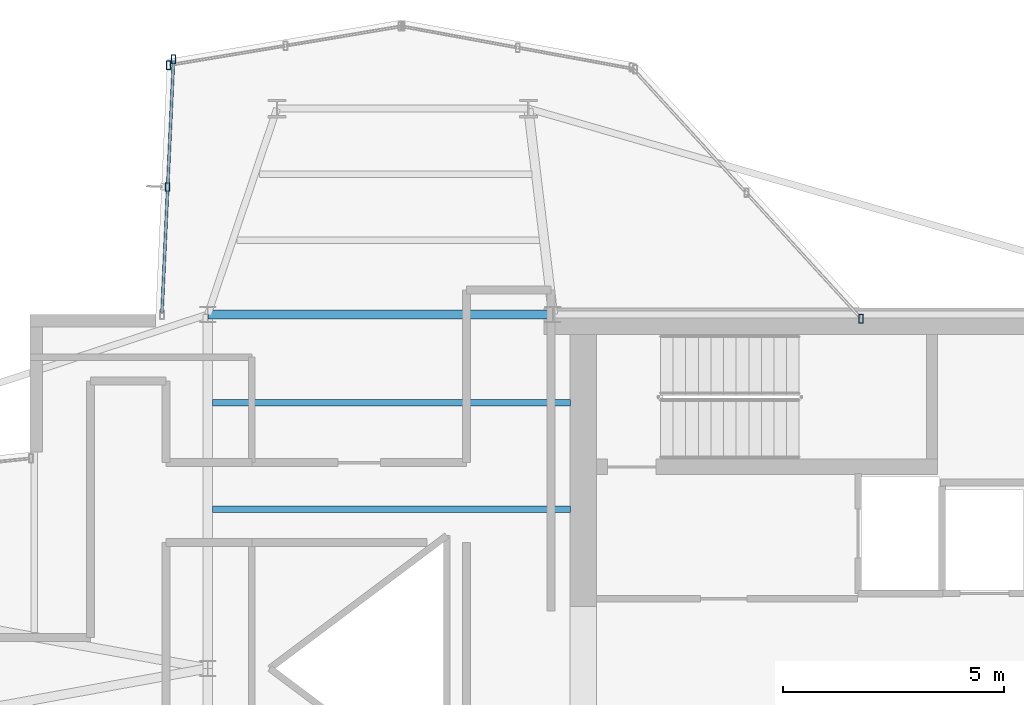
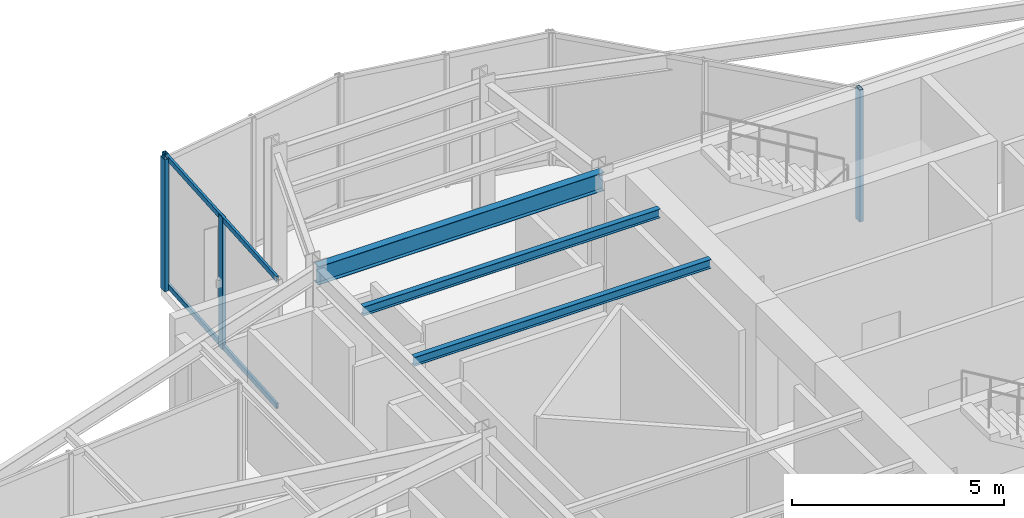
# One storey, part 5 of 13: 6 members, 3 beams, 3 elements without a shape of their own.
"""IFC4 building model written with IfcOpenShell, lengths in metres."""

from ifc_helpers import new_model, si_unit, direction, frame, origin, origin_2d, place, context, subcontext, project, spatial, hollow_rectangle, i_section, extrude, material, layer, layer_set, material_profile, profile_set, type_object, element, aggregate, save


model = new_model("IFC4")

# Units and contexts
model_context = context("Model", 3, precision=1e-05, world=origin(), true_north=direction((0.0, 1.0)))
body_context = subcontext(model_context, "Body", "Model", "MODEL_VIEW")
ifc_project = project(units=[si_unit("LENGTHUNIT", "METRE"), si_unit("AREAUNIT", "SQUARE_METRE"), si_unit("VOLUMEUNIT", "CUBIC_METRE"), si_unit("PLANEANGLEUNIT", "RADIAN"), si_unit("MASSUNIT", "GRAM", prefix="KILO")], contexts=[model_context])

# Site, building, storey
site_placement = place(None, origin())
site = spatial("IfcSite", under=ifc_project, at=site_placement, CompositionType="ELEMENT")
building_placement = place(site_placement, origin())
building = spatial("IfcBuilding", under=site, at=building_placement, Name="Veymaron Broadcast Tower", CompositionType="ELEMENT")
storey_placement = place(building_placement, frame((0.0, 0.0, 279.0)))
storey = spatial("IfcBuildingStorey", under=building, at=storey_placement, Name="L65", CompositionType="ELEMENT", Elevation=279.0)

# Beams
ifc_material_1 = material(Name="Structural steel ASTM A992 Gr 50", Category="steel")
ifc_material_profile_1 = material_profile(ifc_material_1, i_section(OverallWidth=0.208984375, OverallDepth=0.528076171875, WebThickness=0.009521484375, FlangeThickness=0.01318359375, at=origin_2d()), Name="W530X82")
ifc_profile_set_1 = profile_set([ifc_material_profile_1], Name="Structural steel ASTM A992 Gr 50")
beam_type_1 = type_object("IfcBeamType", Name="BM-FG4", PredefinedType="BEAM", material=ifc_profile_set_1)
beam_placement = place(storey_placement, frame((31.199951171875, 32.0, 3.5458984375), z_axis=(1.0, 0.0, 0.0), x_axis=(0.0, 1.0, 0.0)))
element("IfcBeam", 1, at=beam_placement, inside=storey, type_object=beam_type_1, Name="L65 primary structural floor girder", PredefinedType="BEAM", context=body_context, shape_type="SweptSolid", body=[
    extrude(i_section(OverallWidth=0.208984375, OverallDepth=0.528076171875, WebThickness=0.009521484375, FlangeThickness=0.01318359375, at=origin_2d()), origin(), (0.0, 0.0, 1.0), 7.800048828125),
])
ifc_material_profile_2 = material_profile(ifc_material_1, i_section(OverallWidth=0.14599609375, OverallDepth=0.258056640625, WebThickness=0.006103515625, FlangeThickness=0.009033203125, at=origin_2d()), Name="W250X33")
ifc_profile_set_2 = profile_set([ifc_material_profile_2], Name="Structural steel ASTM A992 Gr 50")
beam_type_2 = type_object("IfcBeamType", Name="BM-JS4", PredefinedType="JOIST", material=ifc_profile_set_2)
for number, where, z_axis, x_axis, name in (
    (2, (31.300048828125, 27.60009765625, 3.680908203125), (1.0, 0.0, 0.0), (0.0, 1.0, 0.0), "L65 Hub secondary joist 3"),
    (3, (31.300048828125, 30.0, 3.680908203125), (1.0, 0.0, 0.0), (0.0, 1.0, 0.0), "L65 Hub secondary joist 4"),
):
    element("IfcBeam", number, at=place(storey_placement, frame(where, z_axis=z_axis, x_axis=x_axis)), inside=storey, type_object=beam_type_2, Name=name, PredefinedType="JOIST", context=body_context, shape_type="SweptSolid", body=[
        extrude(i_section(OverallWidth=0.14599609375, OverallDepth=0.258056640625, WebThickness=0.006103515625, FlangeThickness=0.009033203125, at=origin_2d()), origin(), (0.0, 0.0, 1.0), 8.099853515625),
    ])

# Curtain wall, member
ifc_material_2 = material(Name="Anodised aluminium AA 6063-T6 and laminated low-E dark glass", Category="aluminium")
ifc_layer = layer(ifc_material_2, 0.179931640625)
ifc_layer_set = layer_set([ifc_layer], Name="Anodised aluminium AA 6063-T6 and laminated low-E dark glass")
curtain_wall_type = type_object("IfcCurtainWallType", Name="CW-SYS-06", PredefinedType="NOTDEFINED", material=ifc_layer_set)
curtain_wall_1_placement = place(storey_placement, origin())
curtain_wall_1 = element("IfcCurtainWall", 4, at=curtain_wall_1_placement, inside=storey, type_object=curtain_wall_type, Name="L65 dark-glass curtain wall CW-L65-E5-1", PredefinedType="NOTDEFINED")
ifc_material_3 = material(Name="Anodised aluminium AA 6063-T6", Category="aluminium")
ifc_material_profile_3 = material_profile(ifc_material_3, hollow_rectangle(XDim=0.10009765625, YDim=0.199951171875, WallThickness=0.010009765625, at=origin_2d()), Name="RHS200X100X10")
ifc_profile_set_3 = profile_set([ifc_material_profile_3], Name="Anodised aluminium AA 6063-T6")
member_type_1 = type_object("IfcMemberType", Name="CW-MUL-01", PredefinedType="MULLION", material=ifc_profile_set_3)
member_1_placement = place(storey_placement, frame((45.965576171875, 31.905517578125, 0.0), z_axis=(0.0, 0.0, 1.0), x_axis=(1.0, 0.0, 0.0)))
member_1 = element("IfcMember", 5, at=member_1_placement, type_object=member_type_1, Name="CW-L65-E5-1 mullion 0", PredefinedType="MULLION", context=body_context, shape_type="SweptSolid", body=[
    extrude(hollow_rectangle(XDim=0.10009765625, YDim=0.199951171875, WallThickness=0.010009765625, at=origin_2d()), origin(), (0.0, 0.0, 1.0), 3.81005859375),
])
aggregate(curtain_wall_1, [member_1])

curtain_wall_2_placement = place(storey_placement, origin())
curtain_wall_2 = element("IfcCurtainWall", 6, at=curtain_wall_2_placement, inside=storey, type_object=curtain_wall_type, Name="L65 dark-glass curtain wall CW-L65-E7-1", PredefinedType="NOTDEFINED")
member_2_placement = place(storey_placement, frame((30.307861328125, 37.631103515625, 0.0), z_axis=(0.0, 0.0, 1.0), x_axis=(1.0, 0.0, 0.0)))
member_2 = element("IfcMember", 7, at=member_2_placement, type_object=member_type_1, Name="CW-L65-E7-1 mullion 2", PredefinedType="MULLION", context=body_context, shape_type="SweptSolid", body=[
    extrude(hollow_rectangle(XDim=0.10009765625, YDim=0.199951171875, WallThickness=0.010009765625, at=origin_2d()), origin(), (0.0, 0.0, 1.0), 3.81005859375),
])
aggregate(curtain_wall_2, [member_2])

# Curtain wall, members
curtain_wall_3_placement = place(storey_placement, origin())
curtain_wall_3 = element("IfcCurtainWall", 8, at=curtain_wall_3_placement, inside=storey, type_object=curtain_wall_type, Name="L65 dark-glass curtain wall CW-L65-E8-1", PredefinedType="NOTDEFINED")
member_3_placement = place(storey_placement, frame((30.4248046875, 37.7626953125, 0.0), z_axis=(0.0, 0.0, 1.0), x_axis=(1.0, 0.0, 0.0)))
member_3 = element("IfcMember", 9, at=member_3_placement, type_object=member_type_1, Name="CW-L65-E8-1 mullion 0", PredefinedType="MULLION", context=body_context, shape_type="SweptSolid", body=[
    extrude(hollow_rectangle(XDim=0.10009765625, YDim=0.199951171875, WallThickness=0.010009765625, at=origin_2d()), origin(), (0.0, 0.0, 1.0), 3.81005859375),
])
member_4_placement = place(storey_placement, frame((30.293212890625, 34.878173828125, 0.0), z_axis=(0.0, 0.0, 1.0), x_axis=(1.0, 0.0, 0.0)))
member_4 = element("IfcMember", 10, at=member_4_placement, type_object=member_type_1, Name="CW-L65-E8-1 mullion 1", PredefinedType="MULLION", context=body_context, shape_type="SweptSolid", body=[
    extrude(hollow_rectangle(XDim=0.10009765625, YDim=0.199951171875, WallThickness=0.010009765625, at=origin_2d()), origin(), (0.0, 0.0, 1.0), 3.81005859375),
])
ifc_material_profile_4 = material_profile(ifc_material_3, hollow_rectangle(XDim=0.06494140625, YDim=0.14990234375, WallThickness=0.00390625, at=origin_2d()), Name="AL150X65X4")
ifc_profile_set_4 = profile_set([ifc_material_profile_4], Name="Anodised aluminium AA 6063-T6")
member_type_2 = type_object("IfcMemberType", Name="CW-TRN-01", PredefinedType="USERDEFINED", material=ifc_profile_set_4)
member_5_placement = place(storey_placement, frame((30.42236328125, 37.712890625, 0.070068359375), z_axis=(-0.045470103559, -0.998965699953, 0.0), x_axis=(0.998965699953, -0.045470103559, 0.0)))
member_5 = element("IfcMember", 11, at=member_5_placement, type_object=member_type_2, Name="CW-L65-E8-1 transom B", ObjectType="TRANSOM", PredefinedType="USERDEFINED", context=body_context, shape_type="SweptSolid", body=[
    extrude(hollow_rectangle(XDim=0.06494140625, YDim=0.14990234375, WallThickness=0.00390625, at=origin_2d()), origin(), (0.0, 0.0, 1.0), 5.67529296875),
])
member_6_placement = place(storey_placement, frame((30.42236328125, 37.712890625, 3.739990234375), z_axis=(-0.045470103559, -0.998965699953, 0.0), x_axis=(0.998965699953, -0.045470103559, 0.0)))
member_6 = element("IfcMember", 12, at=member_6_placement, type_object=member_type_2, Name="CW-L65-E8-1 transom T", ObjectType="TRANSOM", PredefinedType="USERDEFINED", context=body_context, shape_type="SweptSolid", body=[
    extrude(hollow_rectangle(XDim=0.06494140625, YDim=0.14990234375, WallThickness=0.00390625, at=origin_2d()), origin(), (0.0, 0.0, 1.0), 5.67529296875),
])
aggregate(curtain_wall_3, [member_3, member_4, member_5, member_6])

save(model, "model.ifc")
